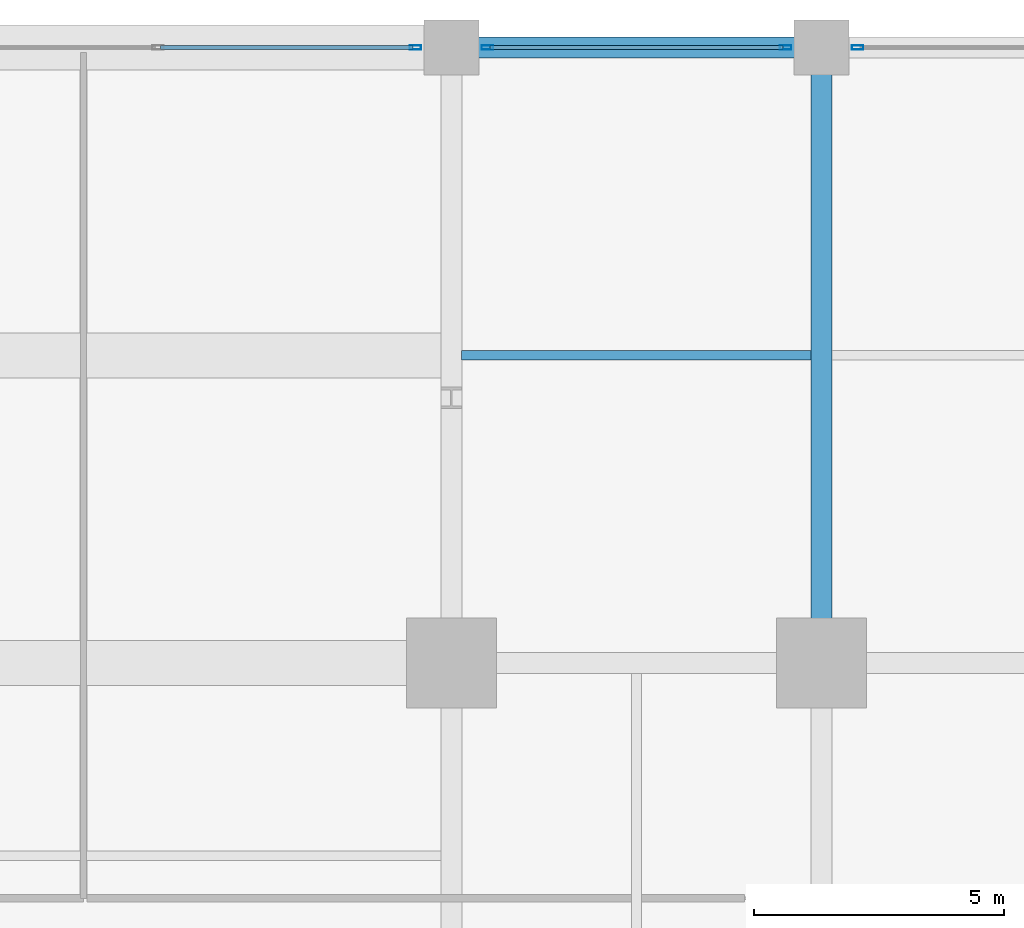
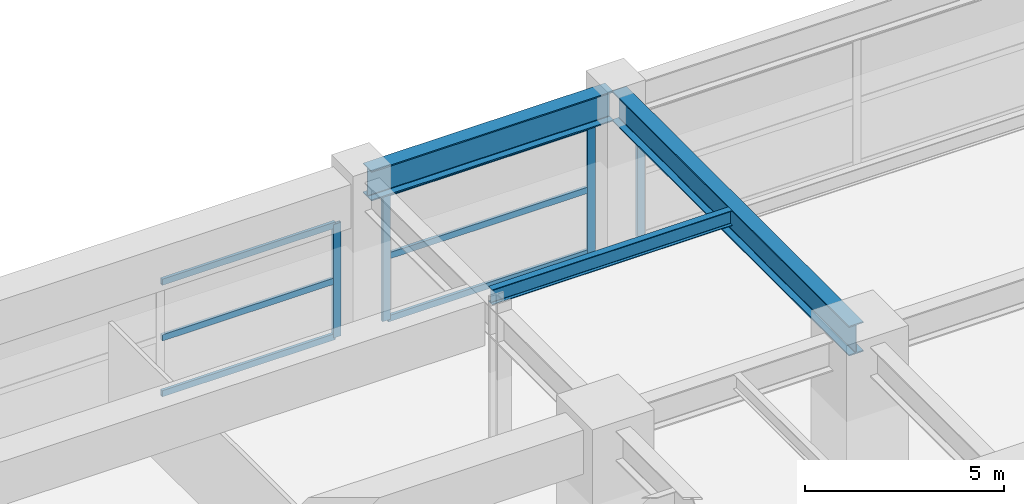
# One storey, part 22 of 45: 10 members, 3 beams, 3 elements without a shape of their own.
"""IFC4 building model written with IfcOpenShell, lengths in metres."""

from ifc_helpers import new_model, si_unit, direction, frame, origin, origin_2d, place, context, subcontext, project, spatial, hollow_rectangle, i_section, extrude, material, material_profile, profile_set, type_object, element, aggregate, save


model = new_model("IFC4")

# Units and contexts
model_context = context("Model", 3, precision=1e-05, world=origin(), true_north=direction((0.0, 1.0)))
body_context = subcontext(model_context, "Body", "Model", "MODEL_VIEW")
ifc_project = project(units=[si_unit("LENGTHUNIT", "METRE"), si_unit("AREAUNIT", "SQUARE_METRE"), si_unit("VOLUMEUNIT", "CUBIC_METRE"), si_unit("PLANEANGLEUNIT", "RADIAN"), si_unit("MASSUNIT", "GRAM", prefix="KILO")], contexts=[model_context])

# Site, building, storey
site_placement = place(None, origin())
site = spatial("IfcSite", under=ifc_project, at=site_placement, CompositionType="ELEMENT")
building_placement = place(site_placement, origin())
building = spatial("IfcBuilding", under=site, at=building_placement, Name="Kovane Verandah Tower", CompositionType="ELEMENT")
storey_placement = place(building_placement, frame((0.0, 0.0, 6.0)))
storey = spatial("IfcBuildingStorey", under=building, at=storey_placement, Name="L01", CompositionType="ELEMENT", Elevation=6.0)

# Beams
ifc_material_1 = material(Name="Steel S460", Category="steel")
ifc_material_profile_1 = material_profile(ifc_material_1, i_section(OverallWidth=0.42041015625, OverallDepth=0.9208984375, WebThickness=0.021484375, FlangeThickness=0.03662109375, FilletRadius=0.024169921875, at=origin_2d()), Name="UB914x419x388")
ifc_profile_set_1 = profile_set([ifc_material_profile_1], Name="Steel S460")
beam_type_1 = type_object("IfcBeamType", Name="BM-UB914x388", PredefinedType="BEAM", material=ifc_profile_set_1)
beam_1_placement = place(storey_placement, frame((51.179931640625, 56.5, 4.439453125), z_axis=(1.0, 0.0, 0.0), x_axis=(0.0, 1.0, 0.0)))
element("IfcBeam", 1, at=beam_1_placement, inside=storey, type_object=beam_type_1, Name="L01 Podium Grid Girder X21", PredefinedType="BEAM", context=body_context, shape_type="SweptSolid", body=[
    extrude(i_section(OverallWidth=0.42041015625, OverallDepth=0.9208984375, WebThickness=0.021484375, FlangeThickness=0.03662109375, FilletRadius=0.024169921875, at=origin_2d()), origin(), (0.0, 0.0, 1.0), 7.0400390625),
])
beam_2_placement = place(storey_placement, frame((58.39990234375, 44.3798828125, 4.439453125), z_axis=(0.0, 1.0, 0.0), x_axis=(-1.0, 0.0, 0.0)))
element("IfcBeam", 2, at=beam_2_placement, inside=storey, type_object=beam_type_1, Name="L01 Podium Grid Girder Y35", PredefinedType="BEAM", context=body_context, shape_type="SweptSolid", body=[
    extrude(i_section(OverallWidth=0.42041015625, OverallDepth=0.9208984375, WebThickness=0.021484375, FlangeThickness=0.03662109375, FilletRadius=0.024169921875, at=origin_2d()), origin(), (0.0, 0.0, 1.0), 11.940185546875),
])

# Curtain wall, member
ifc_material_2 = material(Name="Champagne Anodised Aluminium Frame with Low-E Clear Laminated Glass", Category="aluminium")
curtain_wall_type = type_object("IfcCurtainWallType", Name="CW-SYS-01-POD", PredefinedType="NOTDEFINED", material=ifc_material_2)
curtain_wall_1_placement = place(storey_placement, origin())
curtain_wall_1 = element("IfcCurtainWall", 3, at=curtain_wall_1_placement, inside=storey, type_object=curtain_wall_type, Name="L01 North Podium Curtain Wall Bay 4", PredefinedType="NOTDEFINED")
ifc_material_3 = material(Name="Champagne Anodised Aluminium 6063-T6", Category="aluminium")
ifc_material_profile_2 = material_profile(ifc_material_3, hollow_rectangle(XDim=0.0849609375, YDim=0.22998046875, WallThickness=0.00390625, at=origin_2d()), Name="AL85x230x4")
ifc_profile_set_2 = profile_set([ifc_material_profile_2], Name="Champagne Anodised Aluminium 6063-T6")
member_type_1 = type_object("IfcMemberType", Name="CW-MUL-85x230", PredefinedType="MULLION", material=ifc_profile_set_2)
member_1_placement = place(storey_placement, frame((50.280029296875, 56.5, 0.02001953125), z_axis=(0.0, 0.0, 1.0), x_axis=(0.0, 1.0, 0.0)))
member_1 = element("IfcMember", 4, at=member_1_placement, type_object=member_type_1, Name="L01 North Podium Curtain Wall Bay 4 Mullion 1", PredefinedType="MULLION", context=body_context, shape_type="SweptSolid", body=[
    extrude(hollow_rectangle(XDim=0.0849609375, YDim=0.22998046875, WallThickness=0.00390625, at=origin_2d()), origin(), (0.0, 0.0, 1.0), 3.489990234375),
])

# Curtain wall, members
curtain_wall_2_placement = place(storey_placement, origin())
curtain_wall_2 = element("IfcCurtainWall", 5, at=curtain_wall_2_placement, inside=storey, type_object=curtain_wall_type, Name="L01 North Podium Curtain Wall Bay 5", PredefinedType="NOTDEFINED")
member_2_placement = place(storey_placement, frame((57.679931640625, 56.5, 0.02001953125), z_axis=(0.0, 0.0, 1.0), x_axis=(0.0, 1.0, 0.0)))
member_2 = element("IfcMember", 6, at=member_2_placement, type_object=member_type_1, Name="L01 North Podium Curtain Wall Bay 5 Mullion 1", PredefinedType="MULLION", context=body_context, shape_type="SweptSolid", body=[
    extrude(hollow_rectangle(XDim=0.0849609375, YDim=0.22998046875, WallThickness=0.00390625, at=origin_2d()), origin(), (0.0, 0.0, 1.0), 3.9189453125),
])
member_3_placement = place(storey_placement, frame((51.719970703125, 56.5, 0.02001953125), z_axis=(0.0, 0.0, 1.0), x_axis=(0.0, 1.0, 0.0)))
member_3 = element("IfcMember", 7, at=member_3_placement, type_object=member_type_1, Name="L01 North Podium Curtain Wall Bay 5 Mullion 2", PredefinedType="MULLION", context=body_context, shape_type="SweptSolid", body=[
    extrude(hollow_rectangle(XDim=0.0849609375, YDim=0.22998046875, WallThickness=0.00390625, at=origin_2d()), origin(), (0.0, 0.0, 1.0), 3.9189453125),
])

# Curtain wall, member
curtain_wall_3_placement = place(storey_placement, origin())
curtain_wall_3 = element("IfcCurtainWall", 8, at=curtain_wall_3_placement, inside=storey, type_object=curtain_wall_type, Name="L01 North Podium Curtain Wall Bay 6", PredefinedType="NOTDEFINED")
member_4_placement = place(storey_placement, frame((59.1201171875, 56.5, 0.02001953125), z_axis=(0.0, 0.0, 1.0), x_axis=(0.0, 1.0, 0.0)))
member_4 = element("IfcMember", 9, at=member_4_placement, type_object=member_type_1, Name="L01 North Podium Curtain Wall Bay 6 Mullion 3", PredefinedType="MULLION", context=body_context, shape_type="SweptSolid", body=[
    extrude(hollow_rectangle(XDim=0.0849609375, YDim=0.22998046875, WallThickness=0.00390625, at=origin_2d()), origin(), (0.0, 0.0, 1.0), 3.9189453125),
])
aggregate(curtain_wall_3, [member_4])

# Member
ifc_material_profile_3 = material_profile(ifc_material_3, hollow_rectangle(XDim=0.0849609375, YDim=0.18994140625, WallThickness=0.00390625, at=origin_2d()), Name="AL85x190x4")
ifc_profile_set_3 = profile_set([ifc_material_profile_3], Name="Champagne Anodised Aluminium 6063-T6")
member_type_2 = type_object("IfcMemberType", Name="CW-TRN-85x190", PredefinedType="USERDEFINED", material=ifc_profile_set_3)
member_5_placement = place(storey_placement, frame((50.22998046875, 56.5, 0.050048828125), z_axis=(-1.0, 0.0, 0.0), x_axis=(0.0, -1.0, 0.0)))
member_5 = element("IfcMember", 10, at=member_5_placement, type_object=member_type_2, Name="L01 North Podium Curtain Wall Bay 4 Transom TB Bay 1", ObjectType="TRANSOM", PredefinedType="USERDEFINED", context=body_context, shape_type="SweptSolid", body=[
    extrude(hollow_rectangle(XDim=0.0849609375, YDim=0.18994140625, WallThickness=0.00390625, at=origin_2d()), origin(), (0.0, 0.0, 1.0), 5.0400390625),
])

member_6_placement = place(storey_placement, frame((50.22998046875, 56.5, 1.764892578125), z_axis=(-1.0, 0.0, 0.0), x_axis=(0.0, -1.0, 0.0)))
member_6 = element("IfcMember", 11, at=member_6_placement, type_object=member_type_2, Name="L01 North Podium Curtain Wall Bay 4 Transom TM Bay 1", ObjectType="TRANSOM", PredefinedType="USERDEFINED", context=body_context, shape_type="SweptSolid", body=[
    extrude(hollow_rectangle(XDim=0.0849609375, YDim=0.18994140625, WallThickness=0.00390625, at=origin_2d()), origin(), (0.0, 0.0, 1.0), 5.0400390625),
])

member_7_placement = place(storey_placement, frame((50.22998046875, 56.5, 3.47998046875), z_axis=(-1.0, 0.0, 0.0), x_axis=(0.0, -1.0, 0.0)))
member_7 = element("IfcMember", 12, at=member_7_placement, type_object=member_type_2, Name="L01 North Podium Curtain Wall Bay 4 Transom TT Bay 1", ObjectType="TRANSOM", PredefinedType="USERDEFINED", context=body_context, shape_type="SweptSolid", body=[
    extrude(hollow_rectangle(XDim=0.0849609375, YDim=0.18994140625, WallThickness=0.00390625, at=origin_2d()), origin(), (0.0, 0.0, 1.0), 5.0400390625),
])

aggregate(curtain_wall_1, [member_1, member_5, member_6, member_7])

member_8_placement = place(storey_placement, frame((57.6298828125, 56.5, 0.050048828125), z_axis=(-1.0, 0.0, 0.0), x_axis=(0.0, -1.0, 0.0)))
member_8 = element("IfcMember", 13, at=member_8_placement, type_object=member_type_2, Name="L01 North Podium Curtain Wall Bay 5 Transom TB Bay 1", ObjectType="TRANSOM", PredefinedType="USERDEFINED", context=body_context, shape_type="SweptSolid", body=[
    extrude(hollow_rectangle(XDim=0.0849609375, YDim=0.18994140625, WallThickness=0.00390625, at=origin_2d()), origin(), (0.0, 0.0, 1.0), 5.85986328125),
])

member_9_placement = place(storey_placement, frame((57.6298828125, 56.5, 1.9794921875), z_axis=(-1.0, 0.0, 0.0), x_axis=(0.0, -1.0, 0.0)))
member_9 = element("IfcMember", 14, at=member_9_placement, type_object=member_type_2, Name="L01 North Podium Curtain Wall Bay 5 Transom TM Bay 1", ObjectType="TRANSOM", PredefinedType="USERDEFINED", context=body_context, shape_type="SweptSolid", body=[
    extrude(hollow_rectangle(XDim=0.0849609375, YDim=0.18994140625, WallThickness=0.00390625, at=origin_2d()), origin(), (0.0, 0.0, 1.0), 5.85986328125),
])

member_10_placement = place(storey_placement, frame((57.6298828125, 56.5, 3.908935546875), z_axis=(-1.0, 0.0, 0.0), x_axis=(0.0, -1.0, 0.0)))
member_10 = element("IfcMember", 15, at=member_10_placement, type_object=member_type_2, Name="L01 North Podium Curtain Wall Bay 5 Transom TT Bay 1", ObjectType="TRANSOM", PredefinedType="USERDEFINED", context=body_context, shape_type="SweptSolid", body=[
    extrude(hollow_rectangle(XDim=0.0849609375, YDim=0.18994140625, WallThickness=0.00390625, at=origin_2d()), origin(), (0.0, 0.0, 1.0), 5.85986328125),
])

aggregate(curtain_wall_2, [member_2, member_3, member_8, member_9, member_10])

# Beam
ifc_material_4 = material(Name="Steel S355", Category="steel")
ifc_material_profile_4 = material_profile(ifc_material_4, i_section(OverallWidth=0.19287109375, OverallDepth=0.46728515625, WebThickness=0.011474609375, FlangeThickness=0.01953125, FilletRadius=0.01025390625, at=origin_2d()), Name="UB457x191x98")
ifc_profile_set_4 = profile_set([ifc_material_profile_4], Name="Steel S355")
beam_type_2 = type_object("IfcBeamType", Name="JST-UB457x98", PredefinedType="JOIST", material=ifc_profile_set_4)
beam_3_placement = place(storey_placement, frame((51.208251953125, 50.35009765625, 4.66650390625), z_axis=(1.0, 0.0, 0.0), x_axis=(0.0, 1.0, 0.0)))
element("IfcBeam", 16, at=beam_3_placement, inside=storey, type_object=beam_type_2, Name="L01 Podium Secondary Joist 05", PredefinedType="JOIST", context=body_context, shape_type="SweptSolid", body=[
    extrude(i_section(OverallWidth=0.19287109375, OverallDepth=0.46728515625, WebThickness=0.011474609375, FlangeThickness=0.01953125, FilletRadius=0.01025390625, at=origin_2d()), origin(), (0.0, 0.0, 1.0), 6.983642578125),
])

save(model, "model.ifc")
